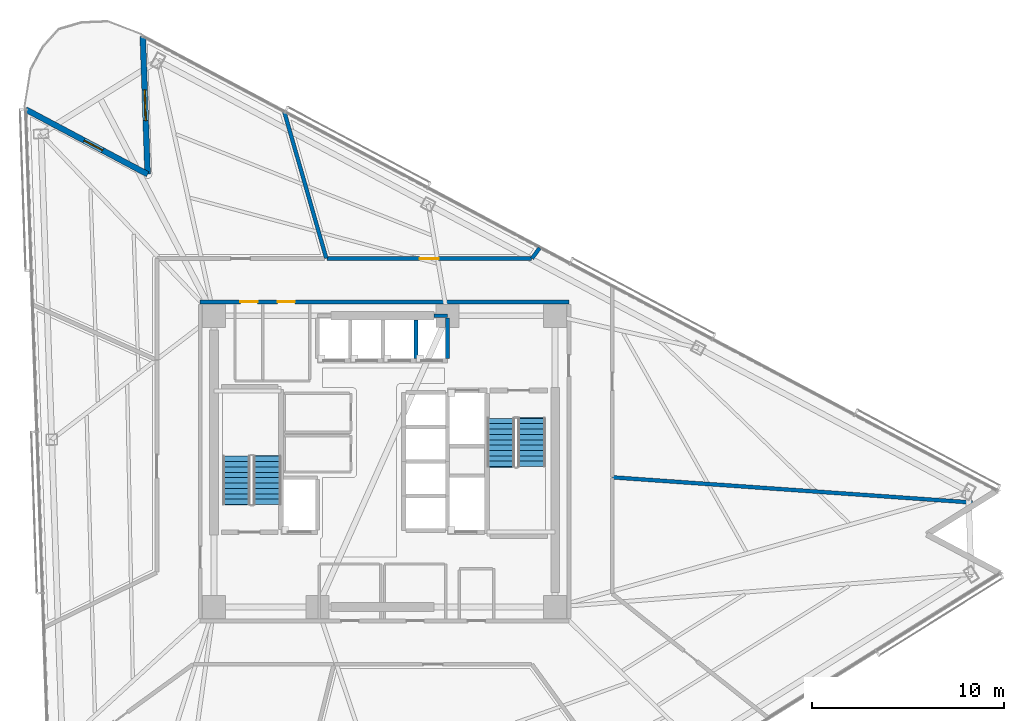
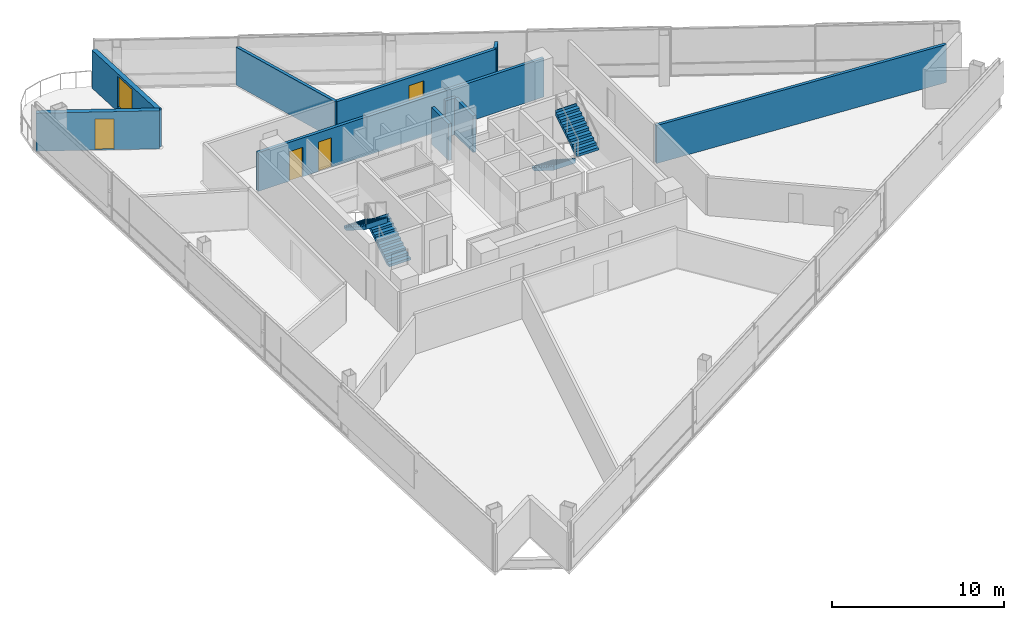
# One storey, part 14 of 21: 10 walls, 4 doors, 4 stair flights, 1 window, 5 openings, 2 elements without a shape of their own.
"""IFC4 building model written with IfcOpenShell, lengths in metres."""

from ifc_helpers import new_model, si_unit, direction, frame, frame_2d, origin, place, context, subcontext, project, spatial, polyline, rectangle, outline, extrude, material, layer, layer_set, type_object, element, fill, aggregate, save


model = new_model("IFC4")

# Units and contexts
model_context = context("Model", 3, precision=1e-05, world=origin(), true_north=direction((0.0, 1.0)))
body_context = subcontext(model_context, "Body", "Model", "MODEL_VIEW")
ifc_project = project(units=[si_unit("LENGTHUNIT", "METRE"), si_unit("AREAUNIT", "SQUARE_METRE"), si_unit("VOLUMEUNIT", "CUBIC_METRE"), si_unit("PLANEANGLEUNIT", "RADIAN"), si_unit("MASSUNIT", "GRAM", prefix="KILO")], contexts=[model_context])

# Site, building, storey
site_placement = place(None, origin())
site = spatial("IfcSite", under=ifc_project, at=site_placement, CompositionType="ELEMENT")
building_placement = place(site_placement, origin())
building = spatial("IfcBuilding", under=site, at=building_placement, Name="Tharavind Bronze Gate", CompositionType="ELEMENT")
storey_placement = place(building_placement, frame((0.0, 0.0, 156.800048828125)))
storey = spatial("IfcBuildingStorey", under=building, at=storey_placement, Name="L40", CompositionType="ELEMENT", Elevation=156.800048828125)

# Wall, opening, window
ifc_material_1 = material(Name="Concrete C40/50", Category="concrete")
ifc_layer_1 = layer(ifc_material_1, 0.300048828125)
ifc_layer_set_1 = layer_set([ifc_layer_1], Name="Concrete C40/50")
wall_type_1 = type_object("IfcWallType", Name="EXTERIOR SPANDREL WALL 300", PredefinedType="STANDARD", material=ifc_layer_set_1)
wall_1_placement = place(storey_placement, frame((-12.614013671875, 22.179931640625, 0.0), z_axis=(0.0, 0.0, 1.0), x_axis=(0.034925918675, -0.999389903994, 0.0)))
wall_1 = element("IfcWall", 1, at=wall_1_placement, inside=storey, type_object=wall_type_1, Name="L40 notch cheek wall 1A", PredefinedType="STANDARD", context=body_context, shape_type="SweptSolid", body=[
    extrude(rectangle(XDim=7.199951171875, YDim=0.300048828125, at=frame_2d((3.60009765625, 0.0))), origin(), (0.0, 0.0, 1.0), 2.704833984375),
])
opening_1_placement = place(wall_1_placement, frame((2.800048828125, 0.0, 0.324951171875)))
opening_1 = element("IfcOpeningElement", 2, at=opening_1_placement, cuts=wall_1, Name="Opening W05", PredefinedType="OPENING", context=body_context, shape_type="SweptSolid", body=[
    extrude(rectangle(XDim=1.60009765625, YDim=2.199951171875, at=frame_2d((0.800048828125, 1.10009765625))), frame((0.0, 0.15990234375, 0.0), z_axis=(0.0, -1.0, 0.0), x_axis=(1.0, 0.0, 0.0)), (0.0, 0.0, 1.0), 0.320048828125),
])
ifc_material_2 = material(Name="Bronze Aluminium & Low-E Glass", Category="aluminium")
window_type = type_object("IfcWindowType", Name="OFFICE NOTCH BRONZE WINDOW 1600X2200", PartitioningType="DOUBLE_PANEL_VERTICAL", PredefinedType="WINDOW", material=ifc_material_2)
window_placement = place(opening_1_placement, origin())
window = element("IfcWindow", 3, at=window_placement, inside=storey, type_object=window_type, Name="L40 exterior window WL-L40-NCB1-01", OverallHeight=2.199951171875, OverallWidth=1.60009765625, PartitioningType="SINGLE_PANEL", PredefinedType="WINDOW", context=body_context, shape_type="SweptSolid", body=[
    extrude(rectangle(XDim=1.60009765625, YDim=2.199951171875, at=frame_2d((0.800048828125, 1.10009765625))), frame((0.0, 0.030029296875, 0.0), z_axis=(0.0, -1.0, 0.0), x_axis=(1.0, 0.0, 0.0)), (0.0, 0.0, 1.0), 0.06005859375),
])
fill(opening_1, window)

# Wall, opening, door
wall_2_placement = place(storey_placement, frame((-12.362548828125, 14.984375, 0.0), z_axis=(0.0, 0.0, 1.0), x_axis=(-0.882950149473, 0.469466754463, 0.0)))
wall_2 = element("IfcWall", 4, at=wall_2_placement, inside=storey, type_object=wall_type_1, Name="L40 notch cheek wall 1B", PredefinedType="STANDARD", context=body_context, shape_type="SweptSolid", body=[
    extrude(rectangle(XDim=7.199951171875, YDim=0.300048828125, at=frame_2d((3.60009765625, 0.0))), origin(), (0.0, 0.0, 1.0), 2.704833984375),
])
opening_2_placement = place(wall_2_placement, frame((2.654052734375, 0.0, 0.0)))
opening_2 = element("IfcOpeningElement", 5, at=opening_2_placement, cuts=wall_2, Name="Opening ED04", PredefinedType="OPENING", context=body_context, shape_type="SweptSolid", body=[
    extrude(rectangle(XDim=1.10009765625, YDim=2.199951171875, at=frame_2d((0.550048828125, 1.10009765625))), frame((0.0, 0.15990234375, 0.0), z_axis=(0.0, -1.0, 0.0), x_axis=(1.0, 0.0, 0.0)), (0.0, 0.0, 1.0), 0.320048828125),
])
ifc_material_3 = material(Name="Bronze Aluminium & Toughened Glass", Category="aluminium")
door_type_1 = type_object("IfcDoorType", Name="TREE BALCONY ACCESS DOOR 1100X2200", OperationType="SINGLE_SWING_LEFT", PredefinedType="DOOR", material=ifc_material_3)
door_1_placement = place(opening_2_placement, origin())
door_1 = element("IfcDoor", 6, at=door_1_placement, inside=storey, type_object=door_type_1, Name="L40 tree balcony access door", OperationType="SINGLE_SWING_LEFT", OverallHeight=2.199951171875, OverallWidth=1.10009765625, PredefinedType="DOOR", context=body_context, shape_type="SweptSolid", body=[
    extrude(rectangle(XDim=1.10009765625, YDim=2.199951171875, at=frame_2d((0.550048828125, 1.10009765625))), frame((0.0, 0.02490234375, 0.0), z_axis=(0.0, -1.0, 0.0), x_axis=(1.0, 0.0, 0.0)), (0.0, 0.0, 1.0), 0.050048828125),
])
fill(opening_2, door_1)

# Wall, openings, doors
ifc_material_4 = material(Name="Aerated Concrete Block", Category="concrete")
ifc_layer_2 = layer(ifc_material_4, 0.199951171875)
ifc_layer_set_2 = layer_set([ifc_layer_2], Name="Aerated Concrete Block")
wall_type_2 = type_object("IfcWallType", Name="FIRE RATED PARTITION 200", PredefinedType="PARTITIONING", material=ifc_layer_set_2)
wall_3_placement = place(storey_placement, frame((9.6201171875, 8.320068359375, 0.0), z_axis=(0.0, 0.0, 1.0), x_axis=(-1.0, 0.0, 0.0)))
wall_3 = element("IfcWall", 7, at=wall_3_placement, inside=storey, type_object=wall_type_2, Name="L40 north core corridor wall", PredefinedType="PARTITIONING", context=body_context, shape_type="SweptSolid", body=[
    extrude(rectangle(XDim=19.240234375, YDim=0.199951171875, at=frame_2d((9.6201171875, 0.0))), origin(), (0.0, 0.0, 1.0), 2.7548828125),
])
opening_3_placement = place(wall_3_placement, frame((16.2451171875, 0.0, 0.0)))
opening_3 = element("IfcOpeningElement", 8, at=opening_3_placement, cuts=wall_3, Name="Opening ID07", PredefinedType="OPENING", context=body_context, shape_type="SweptSolid", body=[
    extrude(rectangle(XDim=0.89990234375, YDim=2.10009765625, at=frame_2d((0.449951171875, 1.050048828125))), frame((0.0, 0.11009765625, 0.0), z_axis=(0.0, -1.0, 0.0), x_axis=(1.0, 0.0, 0.0)), (0.0, 0.0, 1.0), 0.219951171875),
])
opening_4_placement = place(wall_3_placement, frame((14.294921875, 0.0, 0.0)))
opening_4 = element("IfcOpeningElement", 9, at=opening_4_placement, cuts=wall_3, Name="Opening ID07", PredefinedType="OPENING", context=body_context, shape_type="SweptSolid", body=[
    extrude(rectangle(XDim=0.89990234375, YDim=2.10009765625, at=frame_2d((0.449951171875, 1.050048828125))), frame((0.0, 0.11009765625, 0.0), z_axis=(0.0, -1.0, 0.0), x_axis=(1.0, 0.0, 0.0)), (0.0, 0.0, 1.0), 0.219951171875),
])
ifc_material_5 = material(Name="Galvanised Fire Steel", Category="steel")
door_type_2 = type_object("IfcDoorType", Name="PLANT AND RISER FIRE DOOR 900X2100", OperationType="SINGLE_SWING_LEFT", PredefinedType="DOOR", material=ifc_material_5)
door_2_placement = place(opening_3_placement, frame((0.89990234375, 0.0, 0.0), z_axis=(0.0, 0.0, 1.0), x_axis=(-1.0, 0.0, 0.0)))
door_2 = element("IfcDoor", 10, at=door_2_placement, inside=storey, type_object=door_type_2, Name="L40 Battery Backup Cupboard fire door", OperationType="SINGLE_SWING_LEFT", OverallHeight=2.10009765625, OverallWidth=0.89990234375, PredefinedType="DOOR", context=body_context, shape_type="SweptSolid", body=[
    extrude(rectangle(XDim=0.89990234375, YDim=2.10009765625, at=frame_2d((0.449951171875, 1.050048828125))), frame((0.0, 0.02490234375, 0.0), z_axis=(0.0, -1.0, 0.0), x_axis=(1.0, 0.0, 0.0)), (0.0, 0.0, 1.0), 0.050048828125),
])
fill(opening_3, door_2)
door_3_placement = place(opening_4_placement, frame((0.89990234375, 0.0, 0.0), z_axis=(0.0, 0.0, 1.0), x_axis=(-1.0, 0.0, 0.0)))
door_3 = element("IfcDoor", 11, at=door_3_placement, inside=storey, type_object=door_type_2, Name="L40 Cleaner Store Room fire door", OperationType="SINGLE_SWING_LEFT", OverallHeight=2.10009765625, OverallWidth=0.89990234375, PredefinedType="DOOR", context=body_context, shape_type="SweptSolid", body=[
    extrude(rectangle(XDim=0.89990234375, YDim=2.10009765625, at=frame_2d((0.449951171875, 1.050048828125))), frame((0.0, 0.02490234375, 0.0), z_axis=(0.0, -1.0, 0.0), x_axis=(1.0, 0.0, 0.0)), (0.0, 0.0, 1.0), 0.050048828125),
])
fill(opening_4, door_3)

# Walls
wall_4_placement = place(storey_placement, frame((11.90673828125, -0.83251953125, 0.0), z_axis=(0.0, 0.0, 1.0), x_axis=(0.997563710426, -0.069761333428, 0.0)))
element("IfcWall", 12, at=wall_4_placement, inside=storey, type_object=wall_type_2, Name="L40 Public Restrooms Block partition", PredefinedType="PARTITIONING", context=body_context, shape_type="SweptSolid", body=[
    extrude(rectangle(XDim=18.814208984375, YDim=0.199951171875, at=frame_2d((9.4072265625, 0.0))), origin(), (0.0, 0.0, 1.0), 2.704833984375),
])
wall_5_placement = place(storey_placement, frame((8.09228515625, 11.137939453125, 0.0), z_axis=(0.0, 0.0, 1.0), x_axis=(-0.587871434296, -0.80895437247, 0.0)))
element("IfcWall", 13, at=wall_5_placement, inside=storey, type_object=wall_type_2, Name="L40 Biotech Dry Lab Office partition", PredefinedType="PARTITIONING", context=body_context, shape_type="SweptSolid", body=[
    extrude(rectangle(XDim=0.677001953125, YDim=0.199951171875, at=frame_2d((0.33837890625, 0.0))), origin(), (0.0, 0.0, 1.0), 2.704833984375),
])

# Wall, opening, door
wall_6_placement = place(storey_placement, frame((7.674072265625, 10.580078125, 0.0), z_axis=(0.0, 0.0, 1.0), x_axis=(-1.0, 0.0, 0.0)))
wall_6 = element("IfcWall", 14, at=wall_6_placement, inside=storey, type_object=wall_type_2, Name="L40 Biotech Dry Lab Office partition", PredefinedType="PARTITIONING", context=body_context, shape_type="SweptSolid", body=[
    extrude(rectangle(XDim=10.68896484375, YDim=0.199951171875, at=frame_2d((5.344482421875, 0.0))), origin(), (0.0, 0.0, 1.0), 2.704833984375),
])
opening_5_placement = place(wall_6_placement, frame((4.844970703125, 0.0, 0.0)))
opening_5 = element("IfcOpeningElement", 15, at=opening_5_placement, cuts=wall_6, Name="Opening ID04", PredefinedType="OPENING", context=body_context, shape_type="SweptSolid", body=[
    extrude(rectangle(XDim=1.0, YDim=2.14990234375, at=frame_2d((0.5, 1.074951171875))), frame((0.0, 0.11009765625, 0.0), z_axis=(0.0, -1.0, 0.0), x_axis=(1.0, 0.0, 0.0)), (0.0, 0.0, 1.0), 0.219951171875),
])
ifc_material_6 = material(Name="Bronze Framed Acoustic Timber", Category="wood")
door_type_3 = type_object("IfcDoorType", Name="OFFICE TENANCY DOOR 1000X2150", OperationType="SINGLE_SWING_RIGHT", PredefinedType="DOOR", material=ifc_material_6)
door_4_placement = place(opening_5_placement, origin())
door_4 = element("IfcDoor", 16, at=door_4_placement, inside=storey, type_object=door_type_3, Name="L40 Biotech Dry Lab Office door", OperationType="SINGLE_SWING_RIGHT", OverallHeight=2.14990234375, OverallWidth=1.0, PredefinedType="DOOR", context=body_context, shape_type="SweptSolid", body=[
    extrude(rectangle(XDim=1.0, YDim=2.14990234375, at=frame_2d((0.5, 1.074951171875))), frame((0.0, 0.02490234375, 0.0), z_axis=(0.0, -1.0, 0.0), x_axis=(1.0, 0.0, 0.0)), (0.0, 0.0, 1.0), 0.050048828125),
])
fill(opening_5, door_4)

# Walls
wall_7_placement = place(storey_placement, frame((-3.0390625, 10.59814453125, 0.0), z_axis=(0.0, 0.0, 1.0), x_axis=(-0.275619537282, 0.961266805142, 0.0)))
element("IfcWall", 17, at=wall_7_placement, inside=storey, type_object=wall_type_2, Name="L40 Biotech Dry Lab Office partition", PredefinedType="PARTITIONING", context=body_context, shape_type="SweptSolid", body=[
    extrude(rectangle(XDim=7.966796875, YDim=0.199951171875, at=frame_2d((3.9833984375, 0.0))), origin(), (0.0, 0.0, 1.0), 2.704833984375),
])
ifc_layer_3 = layer(ifc_material_1, 0.199951171875)
ifc_layer_set_3 = layer_set([ifc_layer_3], Name="Concrete C40/50")
wall_type_3 = type_object("IfcWallType", Name="SHAFT ENCLOSURE WALL 200", PredefinedType="PARTITIONING", material=ifc_layer_set_3)
wall_8_placement = place(storey_placement, frame((1.637451171875, 5.3798828125, 0.0), z_axis=(0.0, 0.0, 1.0), x_axis=(0.0, 1.0, 0.0)))
element("IfcWall", 18, at=wall_8_placement, inside=storey, type_object=wall_type_3, Name="L40 lift PL7 shaft E enclosure wall", PredefinedType="PARTITIONING", context=body_context, shape_type="SweptSolid", body=[
    extrude(rectangle(XDim=1.990234375, YDim=0.199951171875, at=frame_2d((0.9951171875, 0.0))), origin(), (0.0, 0.0, 1.0), 2.60498046875),
])
wall_9_placement = place(storey_placement, frame((2.580078125, 7.60009765625, 0.0), z_axis=(0.0, 0.0, 1.0), x_axis=(1.0, 0.0, 0.0)))
element("IfcWall", 19, at=wall_9_placement, inside=storey, type_object=wall_type_3, Name="L40 lift PL8 shaft N enclosure wall", PredefinedType="PARTITIONING", context=body_context, shape_type="SweptSolid", body=[
    extrude(rectangle(XDim=0.699951171875, YDim=0.199951171875, at=frame_2d((0.35009765625, 0.0))), origin(), (0.0, 0.0, 1.0), 2.60498046875),
])
wall_10_placement = place(storey_placement, frame((3.280029296875, 5.3798828125, 0.0), z_axis=(0.0, 0.0, 1.0), x_axis=(0.0, 1.0, 0.0)))
element("IfcWall", 20, at=wall_10_placement, inside=storey, type_object=wall_type_3, Name="L40 lift PL8 shaft E enclosure wall", PredefinedType="PARTITIONING", context=body_context, shape_type="SweptSolid", body=[
    extrude(rectangle(XDim=2.115234375, YDim=0.199951171875, at=frame_2d((1.0576171875, 0.0))), origin(), (0.0, 0.0, 1.0), 2.60498046875),
])

# Stair, stair flights
stair_type = type_object("IfcStairType", Name="CORE HALF TURN STAIR 1450", PredefinedType="HALF_TURN_STAIR", material=ifc_material_1)
stair_1_placement = place(storey_placement, origin())
stair_1 = element("IfcStair", 21, at=stair_1_placement, inside=storey, type_object=stair_type, Name="L40 Protected Exit Stair ST1", PredefinedType="HALF_TURN_STAIR")
stair_flight_type = type_object("IfcStairFlightType", Name="CORE STAIR FLIGHT 1450", PredefinedType="STRAIGHT", material=ifc_material_1)
stair_flight_1_placement = place(storey_placement, frame((-6.125, -2.25, 0.0), z_axis=(0.0, 0.0, 1.0), x_axis=(0.0, 1.0, 0.0)))
stair_flight_1 = element("IfcStairFlight", 22, at=stair_flight_1_placement, type_object=stair_flight_type, Name="ST1 flight 1", NumberOfRisers=10, NumberOfTreads=9, PredefinedType="STRAIGHT", RiserHeight=0.18, TreadLength=0.28, context=body_context, shape_type="SweptSolid", body=[
    extrude(outline(polyline([(0.0, 0.0), (0.0, 0.179931640625), (0.280029296875, 0.179931640625), (0.280029296875, 0.360107421875), (0.56005859375, 0.360107421875), (0.56005859375, 0.5400390625), (0.840087890625, 0.5400390625), (0.840087890625, 0.719970703125), (1.1201171875, 0.719970703125), (1.1201171875, 0.89990234375), (1.39990234375, 0.89990234375), (1.39990234375, 1.080078125), (1.679931640625, 1.080078125), (1.679931640625, 1.260009765625), (1.9599609375, 1.260009765625), (1.9599609375, 1.43994140625), (2.239990234375, 1.43994140625), (2.239990234375, 1.6201171875), (2.52001953125, 1.6201171875), (2.52001953125, 1.800048828125), (2.555908203125, 1.800048828125), (2.555908203125, 1.44189453125), (0.277099609375, 0.0), (0.0, 0.0)])), frame((0.0, 0.72509765625, 0.0), z_axis=(0.0, -1.0, 0.0), x_axis=(1.0, 0.0, 0.0)), (0.0, 0.0, 1.0), 1.449951171875),
])
stair_flight_2_placement = place(storey_placement, frame((-7.72509765625, 0.27001953125, 1.800048828125), z_axis=(0.0, 0.0, 1.0), x_axis=(0.0, -1.0, 0.0)))
stair_flight_2 = element("IfcStairFlight", 23, at=stair_flight_2_placement, type_object=stair_flight_type, Name="ST1 flight 2", NumberOfRisers=10, NumberOfTreads=9, PredefinedType="STRAIGHT", RiserHeight=0.18, TreadLength=0.28, context=body_context, shape_type="SweptSolid", body=[
    extrude(outline(polyline([(0.0, 0.0), (0.0, 0.179931640625), (0.280029296875, 0.179931640625), (0.280029296875, 0.360107421875), (0.56005859375, 0.360107421875), (0.56005859375, 0.5400390625), (0.840087890625, 0.5400390625), (0.840087890625, 0.719970703125), (1.1201171875, 0.719970703125), (1.1201171875, 0.89990234375), (1.39990234375, 0.89990234375), (1.39990234375, 1.080078125), (1.679931640625, 1.080078125), (1.679931640625, 1.260009765625), (1.9599609375, 1.260009765625), (1.9599609375, 1.43994140625), (2.239990234375, 1.43994140625), (2.239990234375, 1.6201171875), (2.52001953125, 1.6201171875), (2.52001953125, 1.800048828125), (2.555908203125, 1.800048828125), (2.555908203125, 1.44189453125), (0.277099609375, 0.0), (0.0, 0.0)])), frame((0.0, 0.72509765625, 0.0), z_axis=(0.0, -1.0, 0.0), x_axis=(1.0, 0.0, 0.0)), (0.0, 0.0, 1.0), 1.449951171875),
])
aggregate(stair_1, [stair_flight_1, stair_flight_2])

stair_2_placement = place(storey_placement, origin())
stair_2 = element("IfcStair", 24, at=stair_2_placement, inside=storey, type_object=stair_type, Name="L40 Protected Exit Stair ST2", PredefinedType="HALF_TURN_STAIR")
stair_flight_3_placement = place(storey_placement, frame((6.074951171875, 2.25, 0.0), z_axis=(0.0, 0.0, 1.0), x_axis=(0.0, -1.0, 0.0)))
stair_flight_3 = element("IfcStairFlight", 25, at=stair_flight_3_placement, type_object=stair_flight_type, Name="ST2 flight 1", NumberOfRisers=10, NumberOfTreads=9, PredefinedType="STRAIGHT", RiserHeight=0.18, TreadLength=0.28, context=body_context, shape_type="SweptSolid", body=[
    extrude(outline(polyline([(0.0, 0.0), (0.0, 0.179931640625), (0.280029296875, 0.179931640625), (0.280029296875, 0.360107421875), (0.56005859375, 0.360107421875), (0.56005859375, 0.5400390625), (0.840087890625, 0.5400390625), (0.840087890625, 0.719970703125), (1.1201171875, 0.719970703125), (1.1201171875, 0.89990234375), (1.39990234375, 0.89990234375), (1.39990234375, 1.080078125), (1.679931640625, 1.080078125), (1.679931640625, 1.260009765625), (1.9599609375, 1.260009765625), (1.9599609375, 1.43994140625), (2.239990234375, 1.43994140625), (2.239990234375, 1.6201171875), (2.52001953125, 1.6201171875), (2.52001953125, 1.800048828125), (2.555908203125, 1.800048828125), (2.555908203125, 1.44189453125), (0.277099609375, 0.0), (0.0, 0.0)])), frame((0.0, 0.72509765625, 0.0), z_axis=(0.0, -1.0, 0.0), x_axis=(1.0, 0.0, 0.0)), (0.0, 0.0, 1.0), 1.449951171875),
])
stair_flight_4_placement = place(storey_placement, frame((7.675048828125, -0.27001953125, 1.800048828125), z_axis=(0.0, 0.0, 1.0), x_axis=(0.0, 1.0, 0.0)))
stair_flight_4 = element("IfcStairFlight", 26, at=stair_flight_4_placement, type_object=stair_flight_type, Name="ST2 flight 2", NumberOfRisers=10, NumberOfTreads=9, PredefinedType="STRAIGHT", RiserHeight=0.18, TreadLength=0.28, context=body_context, shape_type="SweptSolid", body=[
    extrude(outline(polyline([(0.0, 0.0), (0.0, 0.179931640625), (0.280029296875, 0.179931640625), (0.280029296875, 0.360107421875), (0.56005859375, 0.360107421875), (0.56005859375, 0.5400390625), (0.840087890625, 0.5400390625), (0.840087890625, 0.719970703125), (1.1201171875, 0.719970703125), (1.1201171875, 0.89990234375), (1.39990234375, 0.89990234375), (1.39990234375, 1.080078125), (1.679931640625, 1.080078125), (1.679931640625, 1.260009765625), (1.9599609375, 1.260009765625), (1.9599609375, 1.43994140625), (2.239990234375, 1.43994140625), (2.239990234375, 1.6201171875), (2.52001953125, 1.6201171875), (2.52001953125, 1.800048828125), (2.555908203125, 1.800048828125), (2.555908203125, 1.44189453125), (0.277099609375, 0.0), (0.0, 0.0)])), frame((0.0, 0.72509765625, 0.0), z_axis=(0.0, -1.0, 0.0), x_axis=(1.0, 0.0, 0.0)), (0.0, 0.0, 1.0), 1.449951171875),
])
aggregate(stair_2, [stair_flight_3, stair_flight_4])

save(model, "model.ifc")
